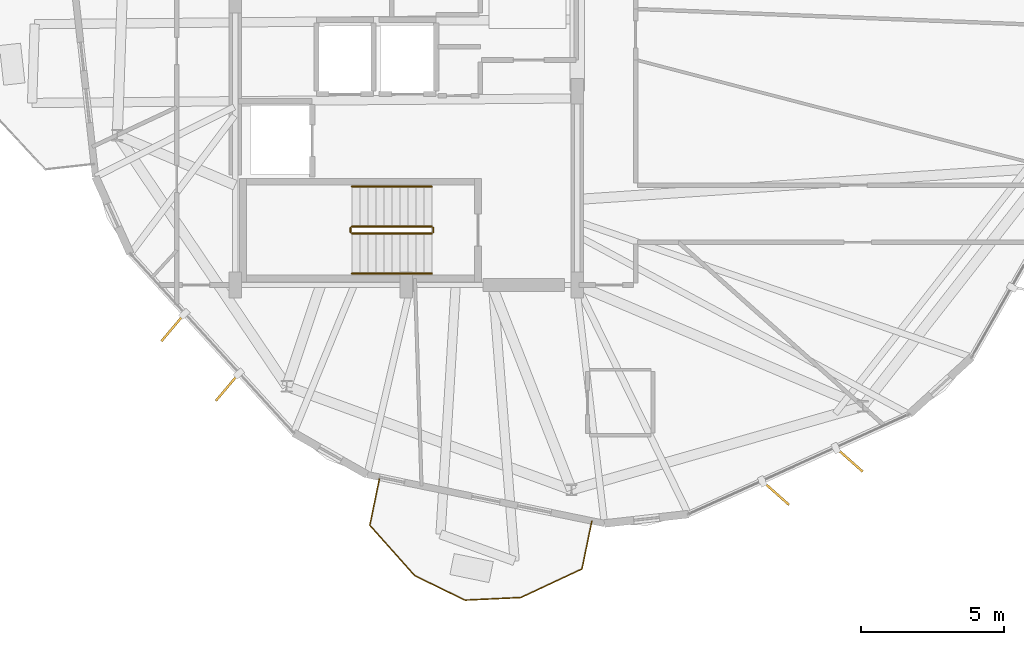
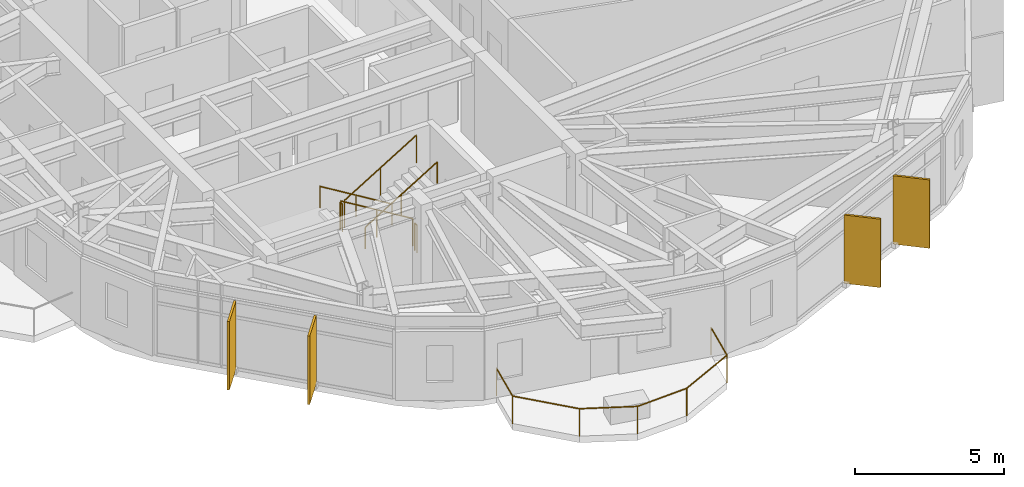
# One storey, part 21 of 23: 7 railings, 4 shading devices.
"""IFC4 building model written with IfcOpenShell, lengths in metres."""

from ifc_helpers import new_model, si_unit, direction, frame, origin, origin_2d, place, context, subcontext, project, spatial, rectangle, circle, extrude, material, layer, layer_set, type_object, element, save


model = new_model("IFC4")

# Units and contexts
model_context = context("Model", 3, precision=1e-05, world=origin(), true_north=direction((0.0, 1.0)))
body_context = subcontext(model_context, "Body", "Model", "MODEL_VIEW")
ifc_project = project(units=[si_unit("LENGTHUNIT", "METRE"), si_unit("AREAUNIT", "SQUARE_METRE"), si_unit("VOLUMEUNIT", "CUBIC_METRE"), si_unit("PLANEANGLEUNIT", "RADIAN"), si_unit("MASSUNIT", "GRAM", prefix="KILO")], contexts=[model_context])

# Site, building, storey
site_placement = place(None, origin())
site = spatial("IfcSite", under=ifc_project, at=site_placement, CompositionType="ELEMENT")
building_placement = place(site_placement, origin())
building = spatial("IfcBuilding", under=site, at=building_placement, Name="Soratama Intermodal Tower", CompositionType="ELEMENT")
storey_placement = place(building_placement, frame((0.0, 0.0, 257.5)))
storey = spatial("IfcBuildingStorey", under=building, at=storey_placement, Name="L65", CompositionType="ELEMENT", Elevation=257.5)

# Railings
ifc_material_1 = material(Name="Laminated glass and stainless steel balustrade", Category="steel")
railing_type_1 = type_object("IfcRailingType", Name="RL-BAL-1150", PredefinedType="BALUSTRADE", material=ifc_material_1)
railing_1_placement = place(storey_placement, frame((45.1142578125, 6.72119140625, 0.0)))
element("IfcRailing", 1, at=railing_1_placement, inside=storey, type_object=railing_type_1, Name="L65 Balcony Balustrade 3", PredefinedType="BALUSTRADE", context=body_context, shape_type="SweptSolid", body=[
    extrude(circle(Radius=0.02392578125, at=origin_2d()), frame((0.0, 0.0, 1.1259765625), z_axis=(-0.201845160369, -0.979417444829, 0.0), x_axis=(0.979417444829, -0.201845160369, 0.0)), (0.0, 0.0, 1.0), 1.719970703125),
    extrude(circle(Radius=0.02392578125, at=origin_2d()), frame((-0.34716796875, -1.6845703125, 1.1259765625), z_axis=(-0.905964495348, -0.423353673858, 0.0), x_axis=(0.423353673858, -0.905964495348, 0.0)), (0.0, 0.0, 1.0), 2.368896484375),
    extrude(circle(Radius=0.02392578125, at=origin_2d()), frame((-2.493408203125, -2.6875, 1.1259765625), z_axis=(-0.998915242852, -0.046565412044, 0.0), x_axis=(0.046565412044, -0.998915242852, 0.0)), (0.0, 0.0, 1.0), 1.9609375),
    extrude(circle(Radius=0.02392578125, at=origin_2d()), frame((-4.4521484375, -2.77880859375, 1.1259765625), z_axis=(-0.89913312708, 0.437675244659, 0.0), x_axis=(-0.437675244659, -0.89913312708, 0.0)), (0.0, 0.0, 1.0), 1.960693359375),
    extrude(circle(Radius=0.02392578125, at=origin_2d()), frame((-6.215087890625, -1.920654296875, 1.1259765625), z_axis=(-0.665009634724, 0.746834778063, 0.0), x_axis=(-0.746834778063, -0.665009634724, 0.0)), (0.0, 0.0, 1.0), 2.369140625),
    extrude(circle(Radius=0.02392578125, at=origin_2d()), frame((-7.79052734375, -0.1513671875, 1.1259765625), z_axis=(0.201708992991, 0.979445497282, 0.0), x_axis=(-0.979445497282, 0.201708992991, 0.0)), (0.0, 0.0, 1.0), 1.719970703125),
    extrude(circle(Radius=0.02099609375, at=origin_2d()), origin(), (0.0, 0.0, 1.0), 1.101806640625),
    extrude(circle(Radius=0.02099609375, at=origin_2d()), frame((-0.34716796875, -1.6845703125, 0.0)), (0.0, 0.0, 1.0), 1.101806640625),
    extrude(circle(Radius=0.02099609375, at=origin_2d()), frame((-2.493408203125, -2.6875, 0.0)), (0.0, 0.0, 1.0), 1.101806640625),
    extrude(circle(Radius=0.02099609375, at=origin_2d()), frame((-4.4521484375, -2.77880859375, 0.0)), (0.0, 0.0, 1.0), 1.101806640625),
    extrude(circle(Radius=0.02099609375, at=origin_2d()), frame((-6.215087890625, -1.920654296875, 0.0)), (0.0, 0.0, 1.0), 1.101806640625),
    extrude(circle(Radius=0.02099609375, at=origin_2d()), frame((-7.79052734375, -0.1513671875, 0.0)), (0.0, 0.0, 1.0), 1.101806640625),
    extrude(circle(Radius=0.02099609375, at=origin_2d()), frame((-7.443603515625, 1.533203125, 0.0)), (0.0, 0.0, 1.0), 1.101806640625),
])
ifc_material_2 = material(Name="Painted steel stair guardrail", Category="steel")
railing_type_2 = type_object("IfcRailingType", Name="RL-STAIR-GUARD", PredefinedType="GUARDRAIL", material=ifc_material_2)
railing_2_placement = place(storey_placement, frame((39.5, 17.050048828125, 0.17041015625)))
element("IfcRailing", 2, at=railing_2_placement, inside=storey, type_object=railing_type_2, Name="L65 ST-1 stair guard 1", PredefinedType="GUARDRAIL", context=body_context, shape_type="SweptSolid", body=[
    extrude(circle(Radius=0.02392578125, at=origin_2d()), frame((0.0, 0.0, 1.1259765625), z_axis=(-0.854169791009, 0.0, 0.51999420009), x_axis=(0.0, -1.0, 0.0)), (0.0, 0.0, 1.0), 3.278076171875),
    extrude(circle(Radius=0.02099609375, at=origin_2d()), origin(), (0.0, 0.0, 1.0), 1.101806640625),
    extrude(circle(Radius=0.02099609375, at=origin_2d()), frame((-1.39990234375, 0.0, 0.852294921875)), (0.0, 0.0, 1.0), 1.101806640625),
    extrude(circle(Radius=0.02099609375, at=origin_2d()), frame((-2.800048828125, 0.0, 1.70458984375)), (0.0, 0.0, 1.0), 1.101806640625),
])
railing_3_placement = place(storey_placement, frame((36.64990234375, 17.0, 1.875)))
element("IfcRailing", 3, at=railing_3_placement, inside=storey, type_object=railing_type_2, Name="L65 ST-1 stair guard 2", PredefinedType="GUARDRAIL", context=body_context, shape_type="SweptSolid", body=[
    extrude(circle(Radius=0.02392578125, at=origin_2d()), frame((0.0, 0.0, 1.1259765625), z_axis=(0.0, -1.0, 0.0), x_axis=(1.0, 0.0, 0.0)), (0.0, 0.0, 1.0), 0.14990234375),
    extrude(circle(Radius=0.02099609375, at=origin_2d()), origin(), (0.0, 0.0, 1.0), 1.101806640625),
    extrude(circle(Radius=0.02099609375, at=origin_2d()), frame((0.0, -0.14990234375, 0.0)), (0.0, 0.0, 1.0), 1.101806640625),
])
railing_4_placement = place(storey_placement, frame((36.699951171875, 16.800048828125, 2.04541015625)))
element("IfcRailing", 4, at=railing_4_placement, inside=storey, type_object=railing_type_2, Name="L65 ST-1 stair guard 3", PredefinedType="GUARDRAIL", context=body_context, shape_type="SweptSolid", body=[
    extrude(circle(Radius=0.02392578125, at=origin_2d()), frame((0.0, 0.0, 1.1259765625), z_axis=(0.854169791009, 0.0, 0.51999420009), x_axis=(0.0, 1.0, 0.0)), (0.0, 0.0, 1.0), 3.278076171875),
    extrude(circle(Radius=0.02099609375, at=origin_2d()), origin(), (0.0, 0.0, 1.0), 1.101806640625),
    extrude(circle(Radius=0.02099609375, at=origin_2d()), frame((1.39990234375, 0.0, 0.852294921875)), (0.0, 0.0, 1.0), 1.101806640625),
    extrude(circle(Radius=0.02099609375, at=origin_2d()), frame((2.800048828125, 0.0, 1.70458984375)), (0.0, 0.0, 1.0), 1.101806640625),
])
railing_5_placement = place(storey_placement, frame((39.550048828125, 17.0, 0.0)))
element("IfcRailing", 5, at=railing_5_placement, inside=storey, type_object=railing_type_2, Name="L65 ST-1 stair guard 4", PredefinedType="GUARDRAIL", context=body_context, shape_type="SweptSolid", body=[
    extrude(circle(Radius=0.02392578125, at=origin_2d()), frame((0.0, 0.0, 1.1259765625), z_axis=(0.0, -1.0, 0.0), x_axis=(1.0, 0.0, 0.0)), (0.0, 0.0, 1.0), 0.14990234375),
    extrude(circle(Radius=0.02099609375, at=origin_2d()), origin(), (0.0, 0.0, 1.0), 1.101806640625),
    extrude(circle(Radius=0.02099609375, at=origin_2d()), frame((0.0, -0.14990234375, 0.0)), (0.0, 0.0, 1.0), 1.101806640625),
])
ifc_material_3 = material(Name="Brushed stainless steel handrail", Category="steel")
railing_type_3 = type_object("IfcRailingType", Name="RL-STAIR-HAND", PredefinedType="HANDRAIL", material=ifc_material_3)
railing_6_placement = place(storey_placement, frame((39.5, 18.449951171875, 0.17041015625)))
element("IfcRailing", 6, at=railing_6_placement, inside=storey, type_object=railing_type_3, Name="L65 ST-1 stair handrail 1", PredefinedType="HANDRAIL", context=body_context, shape_type="SweptSolid", body=[
    extrude(circle(Radius=0.02392578125, at=origin_2d()), frame((0.0, 0.0, 0.8759765625), z_axis=(-0.854169791009, 0.0, 0.51999420009), x_axis=(0.0, -1.0, 0.0)), (0.0, 0.0, 1.0), 3.278076171875),
    extrude(circle(Radius=0.02099609375, at=origin_2d()), origin(), (0.0, 0.0, 1.0), 0.851806640625),
    extrude(circle(Radius=0.02099609375, at=origin_2d()), frame((-1.39990234375, 0.0, 0.852294921875)), (0.0, 0.0, 1.0), 0.851806640625),
    extrude(circle(Radius=0.02099609375, at=origin_2d()), frame((-2.800048828125, 0.0, 1.70458984375)), (0.0, 0.0, 1.0), 0.851806640625),
])
railing_7_placement = place(storey_placement, frame((36.699951171875, 15.39990234375, 2.04541015625)))
element("IfcRailing", 7, at=railing_7_placement, inside=storey, type_object=railing_type_3, Name="L65 ST-1 stair handrail 2", PredefinedType="HANDRAIL", context=body_context, shape_type="SweptSolid", body=[
    extrude(circle(Radius=0.02392578125, at=origin_2d()), frame((0.0, 0.0, 0.8759765625), z_axis=(0.854169791009, 0.0, 0.51999420009), x_axis=(0.0, 1.0, 0.0)), (0.0, 0.0, 1.0), 3.278076171875),
    extrude(circle(Radius=0.02099609375, at=origin_2d()), origin(), (0.0, 0.0, 1.0), 0.851806640625),
    extrude(circle(Radius=0.02099609375, at=origin_2d()), frame((1.39990234375, 0.0, 0.852294921875)), (0.0, 0.0, 1.0), 0.851806640625),
    extrude(circle(Radius=0.02099609375, at=origin_2d()), frame((2.800048828125, 0.0, 1.70458984375)), (0.0, 0.0, 1.0), 0.851806640625),
])

# Shading devices
ifc_material_4 = material(Name="Champagne anodised aluminium solar fin", Category="aluminium")
ifc_layer = layer(ifc_material_4, 0.080078125)
ifc_layer_set = layer_set([ifc_layer], Name="Champagne anodised aluminium solar fin")
shading_device_type = type_object("IfcShadingDeviceType", Name="SH-FIN-1250", PredefinedType="USERDEFINED", material=ifc_layer_set)
for number, where, z_axis, x_axis, name in (
    (8, (30.4169921875, 13.507080078125, 0.02001953125), (0.0, 0.0, 1.0), (-0.645724263505, -0.763570674869, 0.0), "L65 Solar Fin F05-1"),
    (9, (32.326171875, 11.41357421875, 0.02001953125), (0.0, 0.0, 1.0), (-0.645724263505, -0.763570674869, 0.0), "L65 Solar Fin F05-2"),
    (10, (51.56640625, 7.69921875, 0.02001953125), (0.0, 0.0, 1.0), (0.747334400366, -0.664448112368, 0.0), "L65 Solar Fin F07-1"),
    (11, (54.1474609375, 8.86767578125, 0.02001953125), (0.0, 0.0, 1.0), (0.747334400366, -0.664448112368, 0.0), "L65 Solar Fin F07-2"),
):
    element("IfcShadingDevice", number, at=place(storey_placement, frame(where, z_axis=z_axis, x_axis=x_axis)), inside=storey, type_object=shading_device_type, Name=name, ObjectType="FIN", PredefinedType="USERDEFINED", context=body_context, shape_type="SweptSolid", body=[
        extrude(rectangle(XDim=1.25, YDim=0.080078125, at=origin_2d()), origin(), (0.0, 0.0, 1.0), 2.80908203125),
    ])

save(model, "model.ifc")
